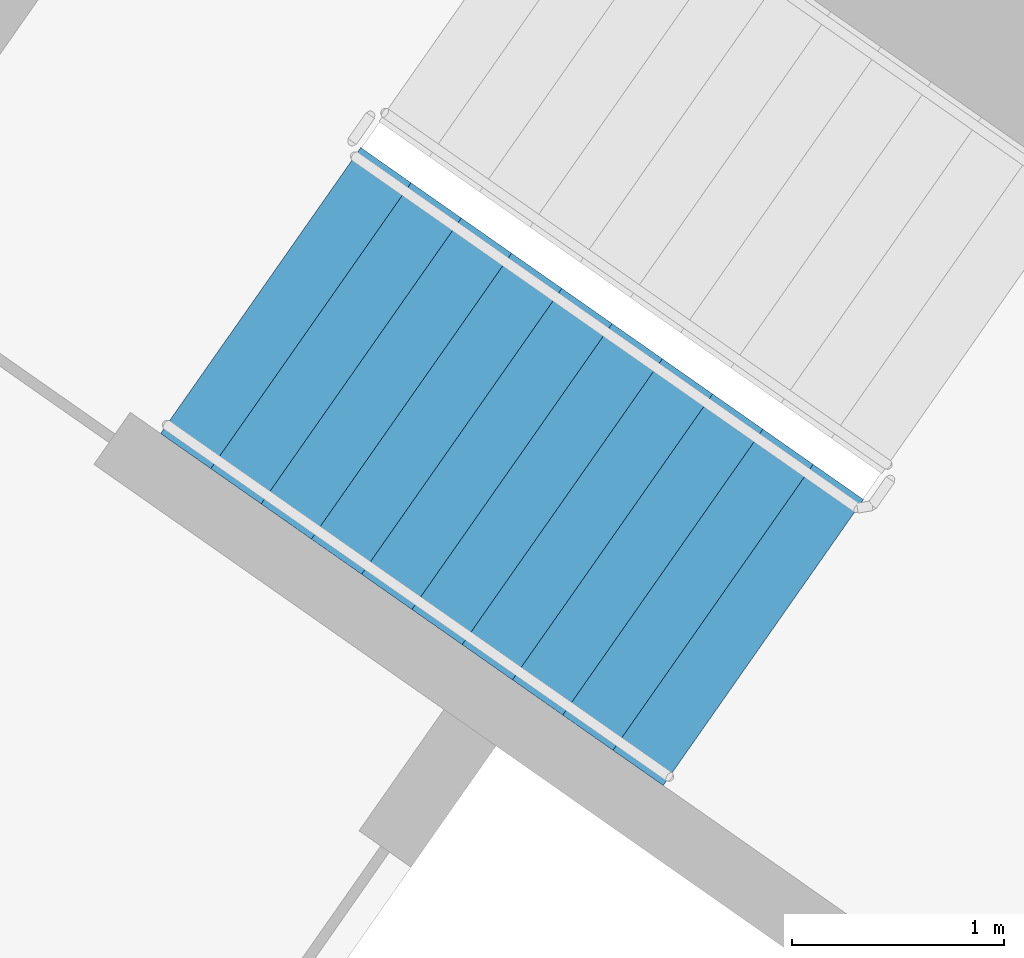
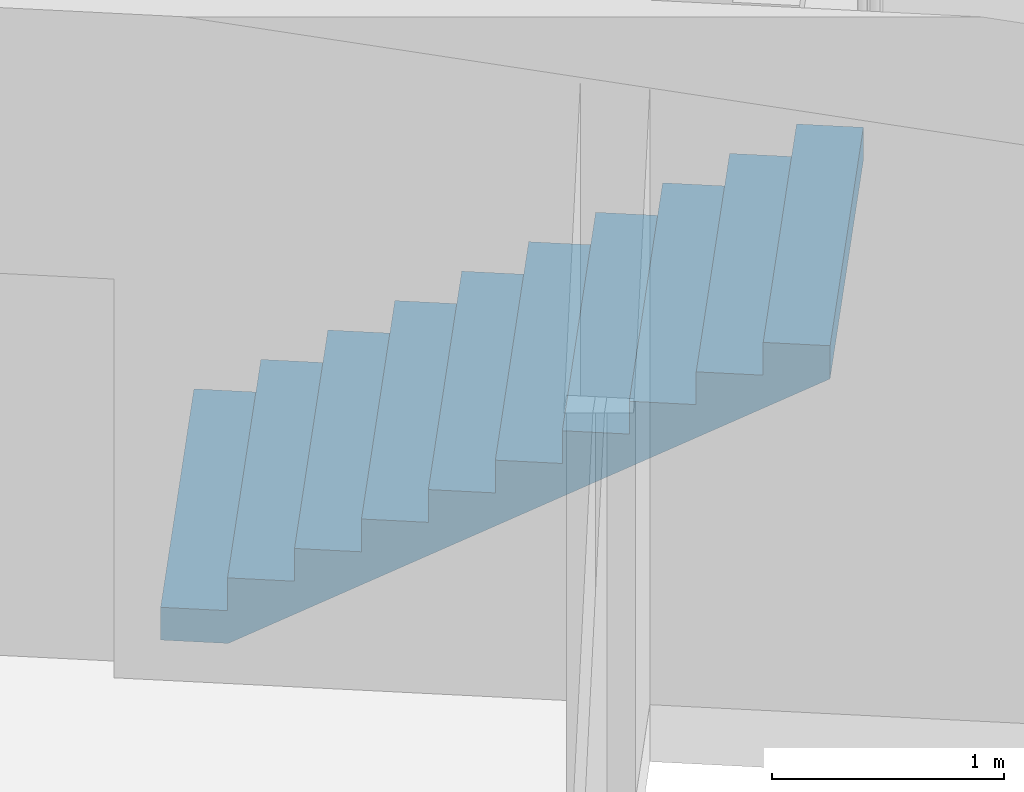
# One storey, part 12 of 28: 1 stair flight, 1 element without a shape of its own.
"""IFC4 building model written with IfcOpenShell, lengths in metres."""

from ifc_helpers import new_model, si_unit, direction, frame, origin, place, context, subcontext, project, spatial, faceted_brep, material, type_object, element, aggregate, save


model = new_model("IFC4")

# Units and contexts
model_context = context("Model", 3, precision=1e-05, world=origin(), true_north=direction((0.0, 1.0)))
body_context = subcontext(model_context, "Body", "Model", "MODEL_VIEW")
ifc_project = project(units=[si_unit("LENGTHUNIT", "METRE"), si_unit("AREAUNIT", "SQUARE_METRE"), si_unit("VOLUMEUNIT", "CUBIC_METRE"), si_unit("PLANEANGLEUNIT", "RADIAN"), si_unit("MASSUNIT", "GRAM", prefix="KILO")], contexts=[model_context])

# Site, building, storey
site_placement = place(None, origin())
site = spatial("IfcSite", under=ifc_project, at=site_placement, CompositionType="ELEMENT")
building_placement = place(site_placement, origin())
building = spatial("IfcBuilding", under=site, at=building_placement, Name="Qamariyya Broadcast Tower", CompositionType="ELEMENT")
storey_placement = place(building_placement, frame((0.0, 0.0, 277.10009765625)))
storey = spatial("IfcBuildingStorey", under=building, at=storey_placement, Name="L67", CompositionType="ELEMENT", Elevation=277.10009765625)

# Stair, stair flight
ifc_material = material(Name="Concrete C50/60", Category="concrete")
stair_type = type_object("IfcStairType", Name="Exit stair 22 risers of 173 mm", PredefinedType="HALF_TURN_STAIR", material=ifc_material)
stair_placement = place(storey_placement, origin())
stair = element("IfcStair", 1, at=stair_placement, inside=storey, type_object=stair_type, Name="L67 Stair W2", PredefinedType="HALF_TURN_STAIR")
stair_flight_type = type_object("IfcStairFlightType", Name="Exit stair flight 11 risers of 173 mm", PredefinedType="STRAIGHT", material=ifc_material)
stair_flight_placement = place(storey_placement, frame((-41.59130859375, -49.15966796875, 0.0), z_axis=(0.0, 0.0, 1.0), x_axis=(0.819152044289, -0.573576436351, 0.0)))
stair_flight = element("IfcStairFlight", 2, at=stair_flight_placement, type_object=stair_flight_type, Name="ST-W2 flight 1", NumberOfRisers=11, NumberOfTreads=10, PredefinedType="STRAIGHT", RiserHeight=0.172727273, TreadLength=0.29, context=body_context, shape_type="Brep", body=[
    faceted_brep([(0.0, 0.824951171875, 0.0), (0.0, 0.824951171875, 0.172607421875), (0.2900390625, 0.824951171875, 0.172607421875), (0.2900390625, 0.824951171875, 0.345458984375), (0.580078125, 0.824951171875, 0.345458984375), (0.580078125, 0.824951171875, 0.51806640625), (0.8701171875, 0.824951171875, 0.51806640625), (0.8701171875, 0.824951171875, 0.69091796875), (1.159912109375, 0.824951171875, 0.69091796875), (1.159912109375, 0.824951171875, 0.863525390625), (1.449951171875, 0.824951171875, 0.863525390625), (1.449951171875, 0.824951171875, 1.036376953125), (1.739990234375, 0.824951171875, 1.036376953125), (1.739990234375, 0.824951171875, 1.208984375), (2.030029296875, 0.824951171875, 1.208984375), (2.030029296875, 0.824951171875, 1.3818359375), (2.320068359375, 0.824951171875, 1.3818359375), (2.320068359375, 0.824951171875, 1.554443359375), (2.610107421875, 0.824951171875, 1.554443359375), (2.610107421875, 0.824951171875, 1.727294921875), (2.89990234375, 0.824951171875, 1.727294921875), (2.89990234375, 0.824951171875, 1.552734375), (0.29296875, 0.824951171875, 0.0), (0.29296875, -0.824951171875, 0.0), (2.89990234375, -0.824951171875, 1.552734375), (2.89990234375, -0.824951171875, 1.727294921875), (2.610107421875, -0.824951171875, 1.727294921875), (2.610107421875, -0.824951171875, 1.554443359375), (2.320068359375, -0.824951171875, 1.554443359375), (2.320068359375, -0.824951171875, 1.3818359375), (2.030029296875, -0.824951171875, 1.3818359375), (2.030029296875, -0.824951171875, 1.208984375), (1.739990234375, -0.824951171875, 1.208984375), (1.739990234375, -0.824951171875, 1.036376953125), (1.449951171875, -0.824951171875, 1.036376953125), (1.449951171875, -0.824951171875, 0.863525390625), (1.159912109375, -0.824951171875, 0.863525390625), (1.159912109375, -0.824951171875, 0.69091796875), (0.8701171875, -0.824951171875, 0.69091796875), (0.8701171875, -0.824951171875, 0.51806640625), (0.580078125, -0.824951171875, 0.51806640625), (0.580078125, -0.824951171875, 0.345458984375), (0.2900390625, -0.824951171875, 0.345458984375), (0.2900390625, -0.824951171875, 0.172607421875), (0.0, -0.824951171875, 0.172607421875), (0.0, -0.824951171875, 0.0), (0.0, 0.10009765625, 0.0), (0.0, 0.086669921875, 0.0), (0.0, 0.0732421875, 0.0), (0.0, 0.06005859375, 0.0), (0.0, 0.046630859375, 0.0), (0.0, 0.033447265625, 0.0), (0.0, 0.02001953125, 0.0), (0.0, 0.006591796875, 0.0), (0.0, -0.006591796875, 0.0), (0.0, -0.02001953125, 0.0), (0.0, -0.033447265625, 0.0), (0.0, -0.046630859375, 0.0), (0.0, -0.06005859375, 0.0), (0.0, -0.0732421875, 0.0), (0.0, -0.086669921875, 0.0), (0.0, -0.10009765625, 0.0), (0.0, -0.10009765625, 0.172607421875), (0.0, -0.086669921875, 0.172607421875), (0.0, -0.0732421875, 0.172607421875), (0.0, -0.06005859375, 0.172607421875), (0.0, -0.046630859375, 0.172607421875), (0.0, -0.033447265625, 0.172607421875), (0.0, -0.02001953125, 0.172607421875), (0.0, -0.006591796875, 0.172607421875), (0.0, 0.006591796875, 0.172607421875), (0.0, 0.02001953125, 0.172607421875), (0.0, 0.033447265625, 0.172607421875), (0.0, 0.046630859375, 0.172607421875), (0.0, 0.06005859375, 0.172607421875), (0.0, 0.0732421875, 0.172607421875), (0.0, 0.086669921875, 0.172607421875), (0.0, 0.10009765625, 0.172607421875), (0.2900390625, -0.10009765625, 0.172607421875), (0.2900390625, -0.086669921875, 0.172607421875), (0.2900390625, -0.0732421875, 0.172607421875), (0.2900390625, -0.06005859375, 0.172607421875), (0.2900390625, -0.046630859375, 0.172607421875), (0.2900390625, -0.033447265625, 0.172607421875), (0.2900390625, -0.02001953125, 0.172607421875), (0.2900390625, -0.006591796875, 0.172607421875), (0.2900390625, 0.006591796875, 0.172607421875), (0.2900390625, 0.02001953125, 0.172607421875), (0.2900390625, 0.033447265625, 0.172607421875), (0.2900390625, 0.046630859375, 0.172607421875), (0.2900390625, 0.06005859375, 0.172607421875), (0.2900390625, 0.0732421875, 0.172607421875), (0.2900390625, 0.086669921875, 0.172607421875), (0.2900390625, 0.10009765625, 0.172607421875), (0.2900390625, -0.10009765625, 0.345458984375), (0.2900390625, -0.086669921875, 0.345458984375), (0.2900390625, -0.0732421875, 0.345458984375), (0.2900390625, -0.06005859375, 0.345458984375), (0.2900390625, -0.046630859375, 0.345458984375), (0.2900390625, -0.033447265625, 0.345458984375), (0.2900390625, -0.02001953125, 0.345458984375), (0.2900390625, -0.006591796875, 0.345458984375), (0.2900390625, 0.006591796875, 0.345458984375), (0.2900390625, 0.02001953125, 0.345458984375), (0.2900390625, 0.033447265625, 0.345458984375), (0.2900390625, 0.046630859375, 0.345458984375), (0.2900390625, 0.06005859375, 0.345458984375), (0.2900390625, 0.0732421875, 0.345458984375), (0.2900390625, 0.086669921875, 0.345458984375), (0.2900390625, 0.10009765625, 0.345458984375), (0.580078125, -0.10009765625, 0.345458984375), (0.580078125, -0.086669921875, 0.345458984375), (0.580078125, -0.0732421875, 0.345458984375), (0.580078125, -0.06005859375, 0.345458984375), (0.580078125, -0.046630859375, 0.345458984375), (0.580078125, -0.033447265625, 0.345458984375), (0.580078125, -0.02001953125, 0.345458984375), (0.580078125, -0.006591796875, 0.345458984375), (0.580078125, 0.006591796875, 0.345458984375), (0.580078125, 0.02001953125, 0.345458984375), (0.580078125, 0.033447265625, 0.345458984375), (0.580078125, 0.046630859375, 0.345458984375), (0.580078125, 0.06005859375, 0.345458984375), (0.580078125, 0.0732421875, 0.345458984375), (0.580078125, 0.086669921875, 0.345458984375), (0.580078125, 0.10009765625, 0.345458984375), (0.580078125, -0.10009765625, 0.51806640625), (0.580078125, -0.086669921875, 0.51806640625), (0.580078125, -0.0732421875, 0.51806640625), (0.580078125, -0.06005859375, 0.51806640625), (0.580078125, -0.046630859375, 0.51806640625), (0.580078125, -0.033447265625, 0.51806640625), (0.580078125, -0.02001953125, 0.51806640625), (0.580078125, -0.006591796875, 0.51806640625), (0.580078125, 0.006591796875, 0.51806640625), (0.580078125, 0.02001953125, 0.51806640625), (0.580078125, 0.033447265625, 0.51806640625), (0.580078125, 0.046630859375, 0.51806640625), (0.580078125, 0.06005859375, 0.51806640625), (0.580078125, 0.0732421875, 0.51806640625), (0.580078125, 0.086669921875, 0.51806640625), (0.580078125, 0.10009765625, 0.51806640625), (0.8701171875, -0.10009765625, 0.51806640625), (0.8701171875, -0.086669921875, 0.51806640625), (0.8701171875, -0.0732421875, 0.51806640625), (0.8701171875, -0.06005859375, 0.51806640625), (0.8701171875, -0.046630859375, 0.51806640625), (0.8701171875, -0.033447265625, 0.51806640625), (0.8701171875, -0.02001953125, 0.51806640625), (0.8701171875, -0.006591796875, 0.51806640625), (0.8701171875, 0.006591796875, 0.51806640625), (0.8701171875, 0.02001953125, 0.51806640625), (0.8701171875, 0.033447265625, 0.51806640625), (0.8701171875, 0.046630859375, 0.51806640625), (0.8701171875, 0.06005859375, 0.51806640625), (0.8701171875, 0.0732421875, 0.51806640625), (0.8701171875, 0.086669921875, 0.51806640625), (0.8701171875, 0.10009765625, 0.51806640625), (0.8701171875, -0.10009765625, 0.69091796875), (0.8701171875, -0.086669921875, 0.69091796875), (0.8701171875, -0.0732421875, 0.69091796875), (0.8701171875, -0.06005859375, 0.69091796875), (0.8701171875, -0.046630859375, 0.69091796875), (0.8701171875, -0.033447265625, 0.69091796875), (0.8701171875, -0.02001953125, 0.69091796875), (0.8701171875, -0.006591796875, 0.69091796875), (0.8701171875, 0.006591796875, 0.69091796875), (0.8701171875, 0.02001953125, 0.69091796875), (0.8701171875, 0.033447265625, 0.69091796875), (0.8701171875, 0.046630859375, 0.69091796875), (0.8701171875, 0.06005859375, 0.69091796875), (0.8701171875, 0.0732421875, 0.69091796875), (0.8701171875, 0.086669921875, 0.69091796875), (0.8701171875, 0.10009765625, 0.69091796875), (1.159912109375, -0.10009765625, 0.69091796875), (1.159912109375, -0.086669921875, 0.69091796875), (1.159912109375, -0.0732421875, 0.69091796875), (1.159912109375, -0.06005859375, 0.69091796875), (1.159912109375, -0.046630859375, 0.69091796875), (1.159912109375, -0.033447265625, 0.69091796875), (1.159912109375, -0.02001953125, 0.69091796875), (1.159912109375, -0.006591796875, 0.69091796875), (1.159912109375, 0.006591796875, 0.69091796875), (1.159912109375, 0.02001953125, 0.69091796875), (1.159912109375, 0.033447265625, 0.69091796875), (1.159912109375, 0.046630859375, 0.69091796875), (1.159912109375, 0.06005859375, 0.69091796875), (1.159912109375, 0.0732421875, 0.69091796875), (1.159912109375, 0.086669921875, 0.69091796875), (1.159912109375, 0.10009765625, 0.69091796875), (1.159912109375, -0.10009765625, 0.863525390625), (1.159912109375, -0.086669921875, 0.863525390625), (1.159912109375, -0.0732421875, 0.863525390625), (1.159912109375, -0.06005859375, 0.863525390625), (1.159912109375, -0.046630859375, 0.863525390625), (1.159912109375, -0.033447265625, 0.863525390625), (1.159912109375, -0.02001953125, 0.863525390625), (1.159912109375, -0.006591796875, 0.863525390625), (1.159912109375, 0.006591796875, 0.863525390625), (1.159912109375, 0.02001953125, 0.863525390625), (1.159912109375, 0.033447265625, 0.863525390625), (1.159912109375, 0.046630859375, 0.863525390625), (1.159912109375, 0.06005859375, 0.863525390625), (1.159912109375, 0.0732421875, 0.863525390625), (1.159912109375, 0.086669921875, 0.863525390625), (1.159912109375, 0.10009765625, 0.863525390625), (1.449951171875, -0.10009765625, 0.863525390625), (1.449951171875, -0.086669921875, 0.863525390625), (1.449951171875, -0.0732421875, 0.863525390625), (1.449951171875, -0.06005859375, 0.863525390625), (1.449951171875, -0.046630859375, 0.863525390625), (1.449951171875, -0.033447265625, 0.863525390625), (1.449951171875, -0.02001953125, 0.863525390625), (1.449951171875, -0.006591796875, 0.863525390625), (1.449951171875, 0.006591796875, 0.863525390625), (1.449951171875, 0.02001953125, 0.863525390625), (1.449951171875, 0.033447265625, 0.863525390625), (1.449951171875, 0.046630859375, 0.863525390625), (1.449951171875, 0.06005859375, 0.863525390625), (1.449951171875, 0.0732421875, 0.863525390625), (1.449951171875, 0.086669921875, 0.863525390625), (1.449951171875, 0.10009765625, 0.863525390625), (1.449951171875, -0.10009765625, 1.036376953125), (1.449951171875, -0.086669921875, 1.036376953125), (1.449951171875, -0.0732421875, 1.036376953125), (1.449951171875, -0.06005859375, 1.036376953125), (1.449951171875, -0.046630859375, 1.036376953125), (1.449951171875, -0.033447265625, 1.036376953125), (1.449951171875, -0.02001953125, 1.036376953125), (1.449951171875, -0.006591796875, 1.036376953125), (1.449951171875, 0.006591796875, 1.036376953125), (1.449951171875, 0.02001953125, 1.036376953125), (1.449951171875, 0.033447265625, 1.036376953125), (1.449951171875, 0.046630859375, 1.036376953125), (1.449951171875, 0.06005859375, 1.036376953125), (1.449951171875, 0.0732421875, 1.036376953125), (1.449951171875, 0.086669921875, 1.036376953125), (1.449951171875, 0.10009765625, 1.036376953125), (1.739990234375, -0.10009765625, 1.036376953125), (1.739990234375, -0.086669921875, 1.036376953125), (1.739990234375, -0.0732421875, 1.036376953125), (1.739990234375, -0.06005859375, 1.036376953125), (1.739990234375, -0.046630859375, 1.036376953125), (1.739990234375, -0.033447265625, 1.036376953125), (1.739990234375, -0.02001953125, 1.036376953125), (1.739990234375, -0.006591796875, 1.036376953125), (1.739990234375, 0.006591796875, 1.036376953125), (1.739990234375, 0.02001953125, 1.036376953125), (1.739990234375, 0.033447265625, 1.036376953125), (1.739990234375, 0.046630859375, 1.036376953125), (1.739990234375, 0.06005859375, 1.036376953125), (1.739990234375, 0.0732421875, 1.036376953125), (1.739990234375, 0.086669921875, 1.036376953125), (1.739990234375, 0.10009765625, 1.036376953125), (1.739990234375, -0.10009765625, 1.208984375), (1.739990234375, -0.086669921875, 1.208984375), (1.739990234375, -0.0732421875, 1.208984375), (1.739990234375, -0.06005859375, 1.208984375), (1.739990234375, -0.046630859375, 1.208984375), (1.739990234375, -0.033447265625, 1.208984375), (1.739990234375, -0.02001953125, 1.208984375), (1.739990234375, -0.006591796875, 1.208984375), (1.739990234375, 0.006591796875, 1.208984375), (1.739990234375, 0.02001953125, 1.208984375), (1.739990234375, 0.033447265625, 1.208984375), (1.739990234375, 0.046630859375, 1.208984375), (1.739990234375, 0.06005859375, 1.208984375), (1.739990234375, 0.0732421875, 1.208984375), (1.739990234375, 0.086669921875, 1.208984375), (1.739990234375, 0.10009765625, 1.208984375), (2.030029296875, -0.10009765625, 1.208984375), (2.030029296875, -0.086669921875, 1.208984375), (2.030029296875, -0.0732421875, 1.208984375), (2.030029296875, -0.06005859375, 1.208984375), (2.030029296875, -0.046630859375, 1.208984375), (2.030029296875, -0.033447265625, 1.208984375), (2.030029296875, -0.02001953125, 1.208984375), (2.030029296875, -0.006591796875, 1.208984375), (2.030029296875, 0.006591796875, 1.208984375), (2.030029296875, 0.02001953125, 1.208984375), (2.030029296875, 0.033447265625, 1.208984375), (2.030029296875, 0.046630859375, 1.208984375), (2.030029296875, 0.06005859375, 1.208984375), (2.030029296875, 0.0732421875, 1.208984375), (2.030029296875, 0.086669921875, 1.208984375), (2.030029296875, 0.10009765625, 1.208984375), (2.030029296875, -0.10009765625, 1.3818359375), (2.030029296875, -0.086669921875, 1.3818359375), (2.030029296875, -0.0732421875, 1.3818359375), (2.030029296875, -0.06005859375, 1.3818359375), (2.030029296875, -0.046630859375, 1.3818359375), (2.030029296875, -0.033447265625, 1.3818359375), (2.030029296875, -0.02001953125, 1.3818359375), (2.030029296875, -0.006591796875, 1.3818359375), (2.030029296875, 0.006591796875, 1.3818359375), (2.030029296875, 0.02001953125, 1.3818359375), (2.030029296875, 0.033447265625, 1.3818359375), (2.030029296875, 0.046630859375, 1.3818359375), (2.030029296875, 0.06005859375, 1.3818359375), (2.030029296875, 0.0732421875, 1.3818359375), (2.030029296875, 0.086669921875, 1.3818359375), (2.030029296875, 0.10009765625, 1.3818359375), (2.320068359375, -0.10009765625, 1.3818359375), (2.320068359375, -0.086669921875, 1.3818359375), (2.320068359375, -0.0732421875, 1.3818359375), (2.320068359375, -0.06005859375, 1.3818359375), (2.320068359375, -0.046630859375, 1.3818359375), (2.320068359375, -0.033447265625, 1.3818359375), (2.320068359375, -0.02001953125, 1.3818359375), (2.320068359375, -0.006591796875, 1.3818359375), (2.320068359375, 0.006591796875, 1.3818359375), (2.320068359375, 0.02001953125, 1.3818359375), (2.320068359375, 0.033447265625, 1.3818359375), (2.320068359375, 0.046630859375, 1.3818359375), (2.320068359375, 0.06005859375, 1.3818359375), (2.320068359375, 0.0732421875, 1.3818359375), (2.320068359375, 0.086669921875, 1.3818359375), (2.320068359375, 0.10009765625, 1.3818359375), (2.320068359375, -0.10009765625, 1.554443359375), (2.320068359375, -0.086669921875, 1.554443359375), (2.320068359375, -0.0732421875, 1.554443359375), (2.320068359375, -0.06005859375, 1.554443359375), (2.320068359375, -0.046630859375, 1.554443359375), (2.320068359375, -0.033447265625, 1.554443359375), (2.320068359375, -0.02001953125, 1.554443359375), (2.320068359375, -0.006591796875, 1.554443359375), (2.320068359375, 0.006591796875, 1.554443359375), (2.320068359375, 0.02001953125, 1.554443359375), (2.320068359375, 0.033447265625, 1.554443359375), (2.320068359375, 0.046630859375, 1.554443359375), (2.320068359375, 0.06005859375, 1.554443359375), (2.320068359375, 0.0732421875, 1.554443359375), (2.320068359375, 0.086669921875, 1.554443359375), (2.320068359375, 0.10009765625, 1.554443359375), (2.610107421875, -0.10009765625, 1.554443359375), (2.610107421875, -0.086669921875, 1.554443359375), (2.610107421875, -0.0732421875, 1.554443359375), (2.610107421875, -0.06005859375, 1.554443359375), (2.610107421875, -0.046630859375, 1.554443359375), (2.610107421875, -0.033447265625, 1.554443359375), (2.610107421875, -0.02001953125, 1.554443359375), (2.610107421875, -0.006591796875, 1.554443359375), (2.610107421875, 0.006591796875, 1.554443359375), (2.610107421875, 0.02001953125, 1.554443359375), (2.610107421875, 0.033447265625, 1.554443359375), (2.610107421875, 0.046630859375, 1.554443359375), (2.610107421875, 0.06005859375, 1.554443359375), (2.610107421875, 0.0732421875, 1.554443359375), (2.610107421875, 0.086669921875, 1.554443359375), (2.610107421875, 0.10009765625, 1.554443359375), (2.610107421875, -0.10009765625, 1.727294921875), (2.610107421875, -0.086669921875, 1.727294921875), (2.610107421875, -0.0732421875, 1.727294921875), (2.610107421875, -0.06005859375, 1.727294921875), (2.610107421875, -0.046630859375, 1.727294921875), (2.610107421875, -0.033447265625, 1.727294921875), (2.610107421875, -0.02001953125, 1.727294921875), (2.610107421875, -0.006591796875, 1.727294921875), (2.610107421875, 0.006591796875, 1.727294921875), (2.610107421875, 0.02001953125, 1.727294921875), (2.610107421875, 0.033447265625, 1.727294921875), (2.610107421875, 0.046630859375, 1.727294921875), (2.610107421875, 0.06005859375, 1.727294921875), (2.610107421875, 0.0732421875, 1.727294921875), (2.610107421875, 0.086669921875, 1.727294921875), (2.610107421875, 0.10009765625, 1.727294921875), (2.89990234375, -0.10009765625, 1.727294921875), (2.89990234375, -0.086669921875, 1.727294921875), (2.89990234375, -0.0732421875, 1.727294921875), (2.89990234375, -0.06005859375, 1.727294921875), (2.89990234375, -0.046630859375, 1.727294921875), (2.89990234375, -0.033447265625, 1.727294921875), (2.89990234375, -0.02001953125, 1.727294921875), (2.89990234375, -0.006591796875, 1.727294921875), (2.89990234375, 0.006591796875, 1.727294921875), (2.89990234375, 0.02001953125, 1.727294921875), (2.89990234375, 0.033447265625, 1.727294921875), (2.89990234375, 0.046630859375, 1.727294921875), (2.89990234375, 0.06005859375, 1.727294921875), (2.89990234375, 0.0732421875, 1.727294921875), (2.89990234375, 0.086669921875, 1.727294921875), (2.89990234375, 0.10009765625, 1.727294921875), (2.89990234375, -0.10009765625, 1.552734375), (2.89990234375, -0.086669921875, 1.552734375), (2.89990234375, -0.0732421875, 1.552734375), (2.89990234375, -0.06005859375, 1.552734375), (2.89990234375, -0.046630859375, 1.552734375), (2.89990234375, -0.033447265625, 1.552734375), (2.89990234375, -0.02001953125, 1.552734375), (2.89990234375, -0.006591796875, 1.552734375), (2.89990234375, 0.006591796875, 1.552734375), (2.89990234375, 0.02001953125, 1.552734375), (2.89990234375, 0.033447265625, 1.552734375), (2.89990234375, 0.046630859375, 1.552734375), (2.89990234375, 0.06005859375, 1.552734375), (2.89990234375, 0.0732421875, 1.552734375), (2.89990234375, 0.086669921875, 1.552734375), (2.89990234375, 0.10009765625, 1.552734375), (0.29296875, -0.10009765625, 0.0), (0.29296875, -0.086669921875, 0.0), (0.29296875, -0.0732421875, 0.0), (0.29296875, -0.06005859375, 0.0), (0.29296875, -0.046630859375, 0.0), (0.29296875, -0.033447265625, 0.0), (0.29296875, -0.02001953125, 0.0), (0.29296875, -0.006591796875, 0.0), (0.29296875, 0.006591796875, 0.0), (0.29296875, 0.02001953125, 0.0), (0.29296875, 0.033447265625, 0.0), (0.29296875, 0.046630859375, 0.0), (0.29296875, 0.06005859375, 0.0), (0.29296875, 0.0732421875, 0.0), (0.29296875, 0.086669921875, 0.0), (0.29296875, 0.10009765625, 0.0)], [[[0, 1, 2, 3, 4, 5, 6, 7, 8, 9, 10, 11, 12, 13, 14, 15, 16, 17, 18, 19, 20, 21, 22]], [[23, 24, 25, 26, 27, 28, 29, 30, 31, 32, 33, 34, 35, 36, 37, 38, 39, 40, 41, 42, 43, 44, 45]], [[0, 46, 47, 48, 49, 50, 51, 52, 53, 54, 55, 56, 57, 58, 59, 60, 61, 45, 44, 62, 63, 64, 65, 66, 67, 68, 69, 70, 71, 72, 73, 74, 75, 76, 77, 1]], [[1, 77, 76, 75, 74, 73, 72, 71, 70, 69, 68, 67, 66, 65, 64, 63, 62, 44, 43, 78, 79, 80, 81, 82, 83, 84, 85, 86, 87, 88, 89, 90, 91, 92, 93, 2]], [[2, 93, 92, 91, 90, 89, 88, 87, 86, 85, 84, 83, 82, 81, 80, 79, 78, 43, 42, 94, 95, 96, 97, 98, 99, 100, 101, 102, 103, 104, 105, 106, 107, 108, 109, 3]], [[3, 109, 108, 107, 106, 105, 104, 103, 102, 101, 100, 99, 98, 97, 96, 95, 94, 42, 41, 110, 111, 112, 113, 114, 115, 116, 117, 118, 119, 120, 121, 122, 123, 124, 125, 4]], [[4, 125, 124, 123, 122, 121, 120, 119, 118, 117, 116, 115, 114, 113, 112, 111, 110, 41, 40, 126, 127, 128, 129, 130, 131, 132, 133, 134, 135, 136, 137, 138, 139, 140, 141, 5]], [[5, 141, 140, 139, 138, 137, 136, 135, 134, 133, 132, 131, 130, 129, 128, 127, 126, 40, 39, 142, 143, 144, 145, 146, 147, 148, 149, 150, 151, 152, 153, 154, 155, 156, 157, 6]], [[6, 157, 156, 155, 154, 153, 152, 151, 150, 149, 148, 147, 146, 145, 144, 143, 142, 39, 38, 158, 159, 160, 161, 162, 163, 164, 165, 166, 167, 168, 169, 170, 171, 172, 173, 7]], [[7, 173, 172, 171, 170, 169, 168, 167, 166, 165, 164, 163, 162, 161, 160, 159, 158, 38, 37, 174, 175, 176, 177, 178, 179, 180, 181, 182, 183, 184, 185, 186, 187, 188, 189, 8]], [[8, 189, 188, 187, 186, 185, 184, 183, 182, 181, 180, 179, 178, 177, 176, 175, 174, 37, 36, 190, 191, 192, 193, 194, 195, 196, 197, 198, 199, 200, 201, 202, 203, 204, 205, 9]], [[9, 205, 204, 203, 202, 201, 200, 199, 198, 197, 196, 195, 194, 193, 192, 191, 190, 36, 35, 206, 207, 208, 209, 210, 211, 212, 213, 214, 215, 216, 217, 218, 219, 220, 221, 10]], [[10, 221, 220, 219, 218, 217, 216, 215, 214, 213, 212, 211, 210, 209, 208, 207, 206, 35, 34, 222, 223, 224, 225, 226, 227, 228, 229, 230, 231, 232, 233, 234, 235, 236, 237, 11]], [[11, 237, 236, 235, 234, 233, 232, 231, 230, 229, 228, 227, 226, 225, 224, 223, 222, 34, 33, 238, 239, 240, 241, 242, 243, 244, 245, 246, 247, 248, 249, 250, 251, 252, 253, 12]], [[12, 253, 252, 251, 250, 249, 248, 247, 246, 245, 244, 243, 242, 241, 240, 239, 238, 33, 32, 254, 255, 256, 257, 258, 259, 260, 261, 262, 263, 264, 265, 266, 267, 268, 269, 13]], [[13, 269, 268, 267, 266, 265, 264, 263, 262, 261, 260, 259, 258, 257, 256, 255, 254, 32, 31, 270, 271, 272, 273, 274, 275, 276, 277, 278, 279, 280, 281, 282, 283, 284, 285, 14]], [[14, 285, 284, 283, 282, 281, 280, 279, 278, 277, 276, 275, 274, 273, 272, 271, 270, 31, 30, 286, 287, 288, 289, 290, 291, 292, 293, 294, 295, 296, 297, 298, 299, 300, 301, 15]], [[15, 301, 300, 299, 298, 297, 296, 295, 294, 293, 292, 291, 290, 289, 288, 287, 286, 30, 29, 302, 303, 304, 305, 306, 307, 308, 309, 310, 311, 312, 313, 314, 315, 316, 317, 16]], [[16, 317, 316, 315, 314, 313, 312, 311, 310, 309, 308, 307, 306, 305, 304, 303, 302, 29, 28, 318, 319, 320, 321, 322, 323, 324, 325, 326, 327, 328, 329, 330, 331, 332, 333, 17]], [[17, 333, 332, 331, 330, 329, 328, 327, 326, 325, 324, 323, 322, 321, 320, 319, 318, 28, 27, 334, 335, 336, 337, 338, 339, 340, 341, 342, 343, 344, 345, 346, 347, 348, 349, 18]], [[18, 349, 348, 347, 346, 345, 344, 343, 342, 341, 340, 339, 338, 337, 336, 335, 334, 27, 26, 350, 351, 352, 353, 354, 355, 356, 357, 358, 359, 360, 361, 362, 363, 364, 365, 19]], [[19, 365, 364, 363, 362, 361, 360, 359, 358, 357, 356, 355, 354, 353, 352, 351, 350, 26, 25, 366, 367, 368, 369, 370, 371, 372, 373, 374, 375, 376, 377, 378, 379, 380, 381, 20]], [[20, 381, 380, 379, 378, 377, 376, 375, 374, 373, 372, 371, 370, 369, 368, 367, 366, 25, 24, 382, 383, 384, 385, 386, 387, 388, 389, 390, 391, 392, 393, 394, 395, 396, 397, 21]], [[21, 397, 396, 395, 394, 393, 392, 391, 390, 389, 388, 387, 386, 385, 384, 383, 382, 24, 23, 398, 399, 400, 401, 402, 403, 404, 405, 406, 407, 408, 409, 410, 411, 412, 413, 22]], [[22, 413, 412, 411, 410, 409, 408, 407, 406, 405, 404, 403, 402, 401, 400, 399, 398, 23, 45, 61, 60, 59, 58, 57, 56, 55, 54, 53, 52, 51, 50, 49, 48, 47, 46, 0]]]),
])
aggregate(stair, [stair_flight])

save(model, "model.ifc")
